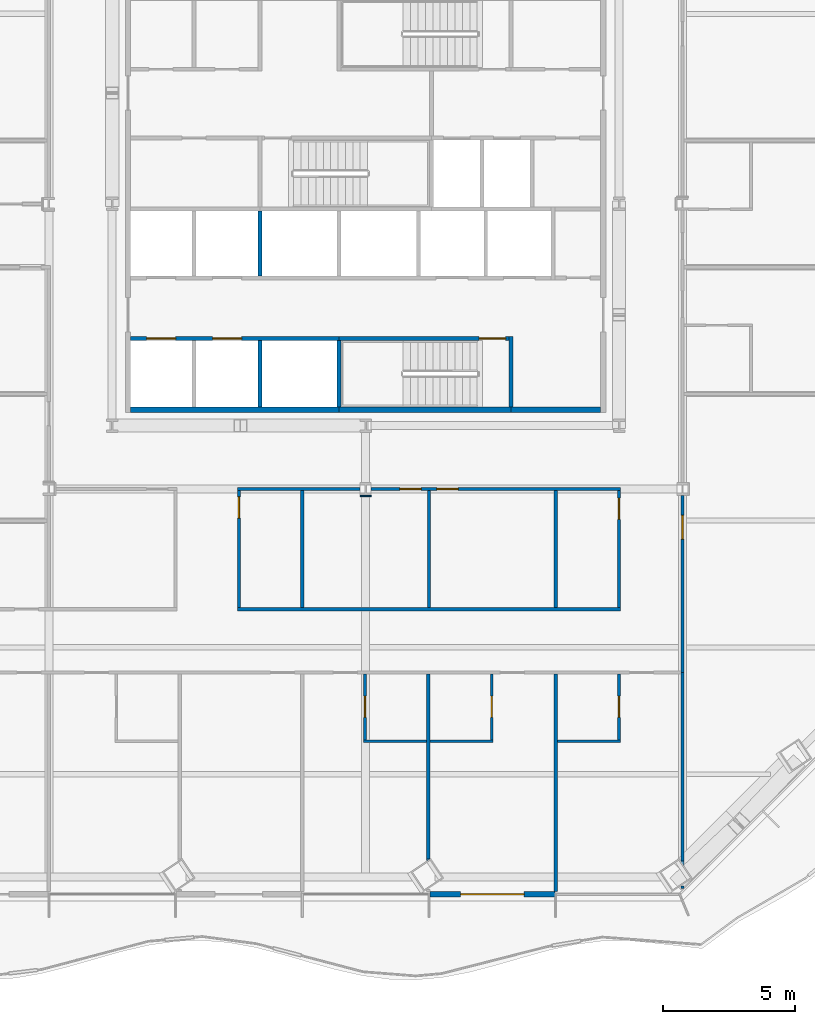
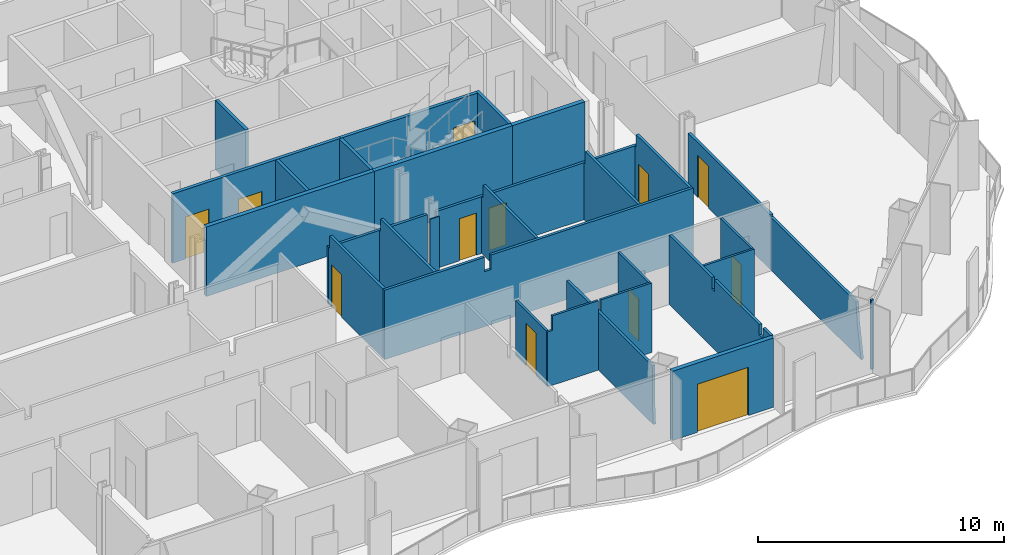
# One storey, part 9 of 20: 30 walls, 12 doors, 12 openings.
"""IFC4 building model written with IfcOpenShell, lengths in metres."""

import ifcopenshell
import ifcopenshell.guid

model = None  # the IFC model being written
_history = None  # IfcOwnerHistory: only IFC2X3 demands one
_inside = {}  # id of a spatial element -> (the spatial element, [elements in it])
_under = {}  # id of a project, library or spatial element -> (it, [spatial elements below it])
_declared = {}  # id of a project -> (the project, [libraries it declares])
_typed = {}  # id of a type object -> (the type object, [elements of that type])
_made_of = {}  # id of a material, layer set ... -> (it, [elements and type objects made of it])


def new_model(schema):
    """Start an empty IFC model of exactly this schema.

    Asked for "IFC4X3", IfcOpenShell would pick the latest addendum, in which some entities
    have other attributes; the version numbers below select the first issue.
    IFC2X3 requires an IfcOwnerHistory on every rooted entity: one is made here for all.
    """
    global model, _history
    if schema == "IFC4X3":
        model = ifcopenshell.file(schema_version=(4, 3, 0, 0))
    else:
        model = ifcopenshell.file(schema=schema)
    _inside.clear()
    _under.clear()
    _declared.clear()
    _typed.clear()
    _made_of.clear()
    _history = None
    if model.schema == "IFC2X3":
        org = make("IfcOrganization", Name="unknown")
        user = make(
            "IfcPersonAndOrganization",
            ThePerson=make("IfcPerson", FamilyName="unknown"),
            TheOrganization=org,
        )
        app = make(
            "IfcApplication",
            ApplicationDeveloper=org,
            Version="unknown",
            ApplicationFullName="unknown",
            ApplicationIdentifier="unknown",
        )
        _history = make(
            "IfcOwnerHistory",
            OwningUser=user,
            OwningApplication=app,
            ChangeAction="ADDED",
            CreationDate=0,
        )
    return model


def make(cls, **values):
    """One entity of the class cls with the attributes given. An attribute that is None is left unset."""
    return model.create_entity(
        cls, **{name: value for name, value in values.items() if value is not None}
    )


def rooted(cls, **values):
    """An entity with a GlobalId (a new one), such as an element, a storey or a relation."""
    return make(cls, GlobalId=ifcopenshell.guid.new(), OwnerHistory=_history, **values)


def si_unit(unit_type, name, prefix=None):
    """IfcSIUnit, for example si_unit("LENGTHUNIT", "METRE", prefix="MILLI")."""
    return make("IfcSIUnit", UnitType=unit_type, Prefix=prefix, Name=name)


def assignment(units):
    """IfcUnitAssignment: the units of a project."""
    return None if units is None else make("IfcUnitAssignment", Units=units)


def point(xyz):
    """IfcCartesianPoint."""
    return None if xyz is None else make("IfcCartesianPoint", Coordinates=xyz)


def direction(xyz):
    """IfcDirection."""
    return None if xyz is None else make("IfcDirection", DirectionRatios=xyz)


def frame(location, z_axis=None, x_axis=None):
    """IfcAxis2Placement3D, a coordinate frame: its origin and axes. An axis left out is left unset."""
    return make(
        "IfcAxis2Placement3D",
        Location=point(location),
        Axis=direction(z_axis),
        RefDirection=direction(x_axis),
    )


def frame_2d(location, x_axis=None):
    """IfcAxis2Placement2D, a coordinate frame in the plane: its origin and x axis."""
    return make(
        "IfcAxis2Placement2D", Location=point(location), RefDirection=direction(x_axis)
    )


def origin():
    """The frame at (0, 0, 0) with its axes left unset."""
    return frame((0.0, 0.0, 0.0))


def place(relative_to, where):
    """IfcLocalPlacement: puts the frame where relative to a parent placement (None: the world)."""
    return make(
        "IfcLocalPlacement", PlacementRelTo=relative_to, RelativePlacement=where
    )


def context(
    kind, dimensions, precision=None, world=None, true_north=None, identifier=None
):
    """IfcGeometricRepresentationContext, for example the 3D "Model" context."""
    return make(
        "IfcGeometricRepresentationContext",
        ContextIdentifier=identifier,
        ContextType=kind,
        CoordinateSpaceDimension=dimensions,
        Precision=precision,
        WorldCoordinateSystem=world,
        TrueNorth=true_north,
    )


def subcontext(parent, identifier, kind, view, scale=None):
    """IfcGeometricRepresentationSubContext, for example "Body" below "Model"."""
    return make(
        "IfcGeometricRepresentationSubContext",
        ContextIdentifier=identifier,
        ContextType=kind,
        ParentContext=parent,
        TargetScale=scale,
        TargetView=view,
    )


def project(units=None, contexts=None):
    """IfcProject with its units and contexts."""
    return rooted(
        "IfcProject",
        Name="project",
        RepresentationContexts=contexts,
        UnitsInContext=assignment(units),
    )


def spatial(cls, under=None, at=None, **own):
    """A site, building, storey or space (cls), placed at a placement, below another one or the project."""
    s = rooted(cls, ObjectPlacement=at, **own)
    if under is not None:
        _under.setdefault(under.id(), (under, []))[1].append(s)
    return s


def polyline(points):
    """IfcPolyline through the points."""
    return make("IfcPolyline", Points=[point(p) for p in points])


def profile(cls, at=None, kind="AREA", **sizes):
    """A parametric profile (cls). Its sizes go by their IFC names, for example OverallWidth=200.0."""
    return make(cls, ProfileType=kind, Position=at, **sizes)


def rectangle(**sizes):
    """IfcRectangleProfileDef."""
    return profile("IfcRectangleProfileDef", **sizes)


def outline(outer, holes=None, kind="AREA"):
    """IfcArbitraryClosedProfileDef: a profile drawn as a closed curve; with holes, ...WithVoids."""
    if holes is None:
        return make("IfcArbitraryClosedProfileDef", ProfileType=kind, OuterCurve=outer)
    return make(
        "IfcArbitraryProfileDefWithVoids",
        ProfileType=kind,
        OuterCurve=outer,
        InnerCurves=holes,
    )


def extrude(swept, where, along, depth):
    """IfcExtrudedAreaSolid: the profile swept, set in the frame where, extruded along a direction by depth."""
    return make(
        "IfcExtrudedAreaSolid",
        SweptArea=swept,
        Position=where,
        ExtrudedDirection=direction(along),
        Depth=depth,
    )


def shape(context_of_items, identifier, shape_type, items):
    """IfcShapeRepresentation: the items that make up one representation, for example the "Body"."""
    return make(
        "IfcShapeRepresentation",
        ContextOfItems=context_of_items,
        RepresentationIdentifier=identifier,
        RepresentationType=shape_type,
        Items=items,
    )


def material(Name=None, Category=None):
    """IfcMaterial."""
    return make("IfcMaterial", Name=Name, Category=Category)


def layer(
    of_material, thickness, ventilated=None, Name=None, Category=None, Priority=None
):
    """IfcMaterialLayer: one layer of a wall or slab, of a material (None: an air gap)."""
    return make(
        "IfcMaterialLayer",
        Material=of_material,
        LayerThickness=thickness,
        IsVentilated=ventilated,
        Name=Name,
        Category=Category,
        Priority=Priority,
    )


def layer_set(layers, Name=None):
    """IfcMaterialLayerSet."""
    return make("IfcMaterialLayerSet", MaterialLayers=layers, LayerSetName=Name)


def made_of(thing, what):
    """Note that an element or type object is made of a material, layer set ...; save() writes the relation."""
    if what is not None:
        _made_of.setdefault(what.id(), (what, []))[1].append(thing)
    return thing


def type_object(cls, material=None, **own):
    """A type object (cls), such as IfcWallType, which elements share."""
    return made_of(rooted(cls, **own), material)


def element(
    cls,
    number,
    at=None,
    inside=None,
    cuts=None,
    type_object=None,
    material=None,
    context=None,
    identifier="Body",
    shape_type=None,
    held_by="IfcProductDefinitionShape",
    body=None,
    shapes=None,
    **own,
):
    """One element of the class cls, such as IfcWall. Its Tag is "e" and its number.

    at: its placement. inside: the storey or other place that contains it. cuts: it is an
    opening in that element (IfcRelVoidsElement). A single representation is given by context,
    identifier, shape_type and body (its items); several are given by shapes. held_by: the class
    of the entity that holds the representations. save() writes the other relations.
    """
    e = rooted(cls, Tag="e%d" % number, ObjectPlacement=at, **own)
    if body is not None:
        shapes = [shape(context, identifier, shape_type, body)]
    if shapes is not None:
        e.Representation = make(held_by, Representations=shapes)
    if inside is not None:
        _inside.setdefault(inside.id(), (inside, []))[1].append(e)
    if cuts is not None:
        rooted(
            "IfcRelVoidsElement", RelatingBuildingElement=cuts, RelatedOpeningElement=e
        )
    if type_object is not None:
        _typed.setdefault(type_object.id(), (type_object, []))[1].append(e)
    return made_of(e, material)


def fill(opening, filler):
    """IfcRelFillsElement: the door or window that sits in an opening."""
    return rooted(
        "IfcRelFillsElement",
        RelatingOpeningElement=opening,
        RelatedBuildingElement=filler,
    )


def aggregate(whole, parts):
    """IfcRelAggregates: a whole, such as a stair, and the parts it consists of."""
    return rooted("IfcRelAggregates", RelatingObject=whole, RelatedObjects=parts)


def save(model, path):
    """Write the relations noted so far, then the file.

    IfcRelAggregates (storeys below a building ...), IfcRelContainedInSpatialStructure (elements
    in a storey), IfcRelDefinesByType, IfcRelAssociatesMaterial and IfcRelDeclares: one each for
    every whole, place, type object, material and project.
    """
    for whole, parts in _under.values():
        aggregate(whole, parts)
    for where, things in _inside.values():
        rooted(
            "IfcRelContainedInSpatialStructure",
            RelatedElements=things,
            RelatingStructure=where,
        )
    for kind, things in _typed.values():
        rooted("IfcRelDefinesByType", RelatedObjects=things, RelatingType=kind)
    for what, things in _made_of.values():
        rooted("IfcRelAssociatesMaterial", RelatedObjects=things, RelatingMaterial=what)
    for by, libraries in _declared.values():
        rooted("IfcRelDeclares", RelatingContext=by, RelatedDefinitions=libraries)
    model.write(path)


model = new_model("IFC4")

# Units and contexts
model_context = context("Model", 3, precision=1e-05, world=origin(), true_north=direction((0.0, 1.0)))
body_context = subcontext(model_context, "Body", "Model", "MODEL_VIEW")
ifc_project = project(units=[si_unit("LENGTHUNIT", "METRE"), si_unit("AREAUNIT", "SQUARE_METRE"), si_unit("VOLUMEUNIT", "CUBIC_METRE"), si_unit("PLANEANGLEUNIT", "RADIAN"), si_unit("MASSUNIT", "GRAM", prefix="KILO")], contexts=[model_context])

# Site, building, storey
site_placement = place(None, origin())
site = spatial("IfcSite", under=ifc_project, at=site_placement, CompositionType="ELEMENT")
building_placement = place(site_placement, origin())
building = spatial("IfcBuilding", under=site, at=building_placement, Name="Cairn Pilgrim Tower", CompositionType="ELEMENT")
storey_placement = place(building_placement, frame((0.0, 0.0, 87.0)))
storey = spatial("IfcBuildingStorey", under=building, at=storey_placement, Name="L20", CompositionType="ELEMENT", Elevation=87.0)

# Wall, opening, door
ifc_material_1 = material(Name="Bronze anodised aluminium insulated sandwich panel with mineral wool fill", Category="aluminium")
ifc_layer_1 = layer(ifc_material_1, 0.199951171875)
ifc_layer_set_1 = layer_set([ifc_layer_1], Name="BRONZE INFILL FRAME WALL 200")
wall_type_1 = type_object("IfcWallType", Name="BRONZE INFILL FRAME WALL 200", PredefinedType="NOTDEFINED", material=ifc_layer_set_1)
wall_1_placement = place(storey_placement, frame((9.6298828125, -23.75, 0.0), z_axis=(0.0, 0.0, 1.0), x_axis=(1.0, 0.0, 0.0)))
wall_1 = element("IfcWall", 1, at=wall_1_placement, inside=storey, type_object=wall_type_1, Name="Bronze infill frame wall IW-S7", PredefinedType="NOTDEFINED", context=body_context, shape_type="SweptSolid", body=[
    extrude(rectangle(XDim=4.740234375, YDim=0.199951171875, at=frame_2d((2.3701171875, 0.0))), origin(), (0.0, 0.0, 1.0), 3.449951171875),
])
opening_1_placement = place(wall_1_placement, frame((1.169921875, 0.0, 0.0)))
opening_1 = element("IfcOpeningElement", 2, at=opening_1_placement, cuts=wall_1, Name="Opening 2007B", PredefinedType="OPENING", context=body_context, shape_type="SweptSolid", body=[
    extrude(rectangle(XDim=2.39990234375, YDim=2.39990234375, at=frame_2d((1.199951171875, 1.199951171875))), frame((0.0, 0.10986328125, 0.0), z_axis=(0.0, -1.0, 0.0), x_axis=(1.0, 0.0, 0.0)), (0.0, 0.0, 1.0), 0.219970703125),
])
ifc_material_2 = material(Name="Bronze anodised aluminium frame with tinted low-E glass", Category="aluminium")
door_type_1 = type_object("IfcDoorType", Name="BALCONY SLIDING DOOR 2400x2400", OperationType="DOUBLE_DOOR_SLIDING", PredefinedType="DOOR", material=ifc_material_2)
door_1_placement = place(opening_1_placement, origin())
door_1 = element("IfcDoor", 3, at=door_1_placement, inside=storey, type_object=door_type_1, Name="Balcony sliding door 2007B", OperationType="SINGLE_SWING_LEFT", OverallHeight=2.39990234375, OverallWidth=2.39990234375, PredefinedType="DOOR", context=body_context, shape_type="SweptSolid", body=[
    extrude(rectangle(XDim=2.39990234375, YDim=2.39990234375, at=frame_2d((1.199951171875, 1.199951171875))), frame((0.0, 0.02490234375, 0.0), z_axis=(0.0, -1.0, 0.0), x_axis=(1.0, 0.0, 0.0)), (0.0, 0.0, 1.0), 0.050048828125),
])
fill(opening_1, door_1)

# Walls
ifc_material_3 = material(Name="Concrete C32/40", Category="concrete")
ifc_layer_2 = layer(ifc_material_3, 0.199951171875)
ifc_layer_set_2 = layer_set([ifc_layer_2], Name="CORE OUTER WALL 200 EI 120")
wall_type_2 = type_object("IfcWallType", Name="CORE OUTER WALL 200 EI 120", PredefinedType="SOLIDWALL", material=ifc_layer_set_2)
wall_2_placement = place(storey_placement, frame((-1.699951171875, -5.39990234375, 0.0), z_axis=(0.0, 0.0, 1.0), x_axis=(1.0, 0.0, 0.0)))
element("IfcWall", 4, at=wall_2_placement, inside=storey, type_object=wall_type_2, Name="CW:L20:H01-1", PredefinedType="SOLIDWALL", context=body_context, shape_type="SweptSolid", body=[
    extrude(rectangle(XDim=7.89990234375, YDim=0.199951171875, at=frame_2d((3.949951171875, 0.0))), origin(), (0.0, 0.0, 1.0), 3.449951171875),
])
wall_3_placement = place(storey_placement, frame((12.699951171875, -5.39990234375, 0.0), z_axis=(0.0, 0.0, 1.0), x_axis=(1.0, 0.0, 0.0)))
element("IfcWall", 5, at=wall_3_placement, inside=storey, type_object=wall_type_2, Name="CW:L20:H01-3", PredefinedType="SOLIDWALL", context=body_context, shape_type="SweptSolid", body=[
    extrude(rectangle(XDim=3.400146484375, YDim=0.199951171875, at=frame_2d((1.7001953125, 0.0))), origin(), (0.0, 0.0, 1.0), 3.449951171875),
])

# Wall, openings, doors
ifc_layer_3 = layer(ifc_material_3, 0.14990234375)
ifc_layer_set_3 = layer_set([ifc_layer_3], Name="CORE SHAFT WALL 150 EI 120")
wall_type_3 = type_object("IfcWallType", Name="CORE SHAFT WALL 150 EI 120", PredefinedType="SOLIDWALL", material=ifc_layer_set_3)
wall_4_placement = place(storey_placement, frame((-1.699951171875, -2.699951171875, 0.0), z_axis=(0.0, 0.0, 1.0), x_axis=(1.0, 0.0, 0.0)))
wall_4 = element("IfcWall", 6, at=wall_4_placement, inside=storey, type_object=wall_type_3, Name="CW:L20:H02-1", PredefinedType="SOLIDWALL", context=body_context, shape_type="SweptSolid", body=[
    extrude(rectangle(XDim=7.89990234375, YDim=0.14990234375, at=frame_2d((3.949951171875, 0.0))), origin(), (0.0, 0.0, 1.0), 3.449951171875),
])
opening_2_placement = place(wall_4_placement, frame((0.60009765625, 0.0, 0.0)))
opening_2 = element("IfcOpeningElement", 7, at=opening_2_placement, cuts=wall_4, Name="Opening LD-LR1", PredefinedType="OPENING", context=body_context, shape_type="SweptSolid", body=[
    extrude(rectangle(XDim=1.10009765625, YDim=2.10009765625, at=frame_2d((0.550048828125, 1.050048828125))), frame((0.0, 0.0849609375, 0.0), z_axis=(0.0, -1.0, 0.0), x_axis=(1.0, 0.0, 0.0)), (0.0, 0.0, 1.0), 0.169921875),
])
opening_3_placement = place(wall_4_placement, frame((3.10009765625, 0.0, 0.0)))
opening_3 = element("IfcOpeningElement", 8, at=opening_3_placement, cuts=wall_4, Name="Opening LD-LR2", PredefinedType="OPENING", context=body_context, shape_type="SweptSolid", body=[
    extrude(rectangle(XDim=1.10009765625, YDim=2.10009765625, at=frame_2d((0.550048828125, 1.050048828125))), frame((0.0, 0.0849609375, 0.0), z_axis=(0.0, -1.0, 0.0), x_axis=(1.0, 0.0, 0.0)), (0.0, 0.0, 1.0), 0.169921875),
])
ifc_material_4 = material(Name="Stainless steel", Category="steel")
door_type_2 = type_object("IfcDoorType", Name="LIFT LANDING DOOR 1100x2100", OperationType="DOUBLE_DOOR_SLIDING", PredefinedType="DOOR", material=ifc_material_4)
door_2_placement = place(opening_2_placement, origin())
door_2 = element("IfcDoor", 9, at=door_2_placement, inside=storey, type_object=door_type_2, Name="LANDING DOOR LR1", OperationType="DOUBLE_DOOR_SLIDING", OverallHeight=2.10009765625, OverallWidth=1.10009765625, PredefinedType="DOOR", context=body_context, shape_type="SweptSolid", body=[
    extrude(rectangle(XDim=1.10009765625, YDim=2.10009765625, at=frame_2d((0.550048828125, 1.050048828125))), frame((0.0, 0.02490234375, 0.0), z_axis=(0.0, -1.0, 0.0), x_axis=(1.0, 0.0, 0.0)), (0.0, 0.0, 1.0), 0.050048828125),
])
fill(opening_2, door_2)
door_3_placement = place(opening_3_placement, origin())
door_3 = element("IfcDoor", 10, at=door_3_placement, inside=storey, type_object=door_type_2, Name="LANDING DOOR LR2", OperationType="DOUBLE_DOOR_SLIDING", OverallHeight=2.10009765625, OverallWidth=1.10009765625, PredefinedType="DOOR", context=body_context, shape_type="SweptSolid", body=[
    extrude(rectangle(XDim=1.10009765625, YDim=2.10009765625, at=frame_2d((0.550048828125, 1.050048828125))), frame((0.0, 0.02490234375, 0.0), z_axis=(0.0, -1.0, 0.0), x_axis=(1.0, 0.0, 0.0)), (0.0, 0.0, 1.0), 0.050048828125),
])
fill(opening_3, door_3)

# Walls
wall_5_placement = place(storey_placement, frame((3.199951171875, -5.300048828125, 0.0), z_axis=(0.0, 0.0, 1.0), x_axis=(0.0, 1.0, 0.0)))
element("IfcWall", 11, at=wall_5_placement, inside=storey, type_object=wall_type_3, Name="CW:L20:V16", PredefinedType="SOLIDWALL", context=body_context, shape_type="SweptSolid", body=[
    extrude(rectangle(XDim=2.525146484375, YDim=0.14990234375, at=frame_2d((1.2626953125, 0.0))), origin(), (0.0, 0.0, 1.0), 3.449951171875),
])
wall_6_placement = place(storey_placement, frame((3.199951171875, -0.324951171875, 0.0), z_axis=(0.0, 0.0, 1.0), x_axis=(0.0, 1.0, 0.0)))
element("IfcWall", 12, at=wall_6_placement, inside=storey, type_object=wall_type_3, Name="CW:L20:V17", PredefinedType="SOLIDWALL", context=body_context, shape_type="SweptSolid", body=[
    extrude(rectangle(XDim=2.449951171875, YDim=0.14990234375, at=frame_2d((1.22509765625, 0.0))), origin(), (0.0, 0.0, 1.0), 3.449951171875),
])
ifc_material_5 = material(Name="Gypsum partition")
ifc_layer_4 = layer(ifc_material_5, 0.10009765625)
ifc_layer_set_4 = layer_set([ifc_layer_4], Name="PARTITION 100 DRYWALL")
wall_type_4 = type_object("IfcWallType", Name="PARTITION 100 DRYWALL", PredefinedType="PARTITIONING", material=ifc_layer_set_4)
wall_7_placement = place(storey_placement, frame((7.1240234375, -17.949951171875, 0.0), z_axis=(0.0, 0.0, 1.0), x_axis=(1.0, 0.0, 0.0)))
element("IfcWall", 13, at=wall_7_placement, inside=storey, type_object=wall_type_4, Name="PARTITION W018", PredefinedType="PARTITIONING", context=body_context, shape_type="SweptSolid", body=[
    extrude(outline(polyline([(0.0, 0.0), (2.387451171875, 0.0), (2.387451171875, 3.449951171875), (0.22607421875, 3.449951171875), (0.22412109375, 2.72998046875), (0.0, 2.72998046875), (0.0, 0.0)])), frame((0.0, 0.050048828125, 0.0), z_axis=(0.0, -1.0, 0.0), x_axis=(1.0, 0.0, 0.0)), (0.0, 0.0, 1.0), 0.10009765625),
])

# Wall, opening, door
wall_8_placement = place(storey_placement, frame((7.174072265625, -17.89990234375, 0.0), z_axis=(0.0, 0.0, 1.0), x_axis=(0.0, 1.0, 0.0)))
wall_8 = element("IfcWall", 14, at=wall_8_placement, inside=storey, type_object=wall_type_4, Name="PARTITION W019", PredefinedType="PARTITIONING", context=body_context, shape_type="SweptSolid", body=[
    extrude(rectangle(XDim=2.4873046875, YDim=0.10009765625, at=frame_2d((1.24365234375, 0.0))), origin(), (0.0, 0.0, 1.0), 2.72998046875),
])
opening_4_placement = place(wall_8_placement, frame((0.85009765625, 0.0, 0.0)))
opening_4 = element("IfcOpeningElement", 15, at=opening_4_placement, cuts=wall_8, Name="Opening 2006E", PredefinedType="OPENING", context=body_context, shape_type="SweptSolid", body=[
    extrude(rectangle(XDim=0.800048828125, YDim=2.10009765625, at=frame_2d((0.39990234375, 1.050048828125))), frame((0.0, 0.06005859375, 0.0), z_axis=(0.0, -1.0, 0.0), x_axis=(1.0, 0.0, 0.0)), (0.0, 0.0, 1.0), 0.1201171875),
])
ifc_material_6 = material(Name="Timber door leaf", Category="wood")
door_type_3 = type_object("IfcDoorType", Name="DOOR 800x2100", OperationType="NOTDEFINED", PredefinedType="DOOR", material=ifc_material_6)
door_4_placement = place(opening_4_placement, frame((0.800048828125, 0.0, 0.0), z_axis=(0.0, 0.0, 1.0), x_axis=(-1.0, 0.0, 0.0)))
door_4 = element("IfcDoor", 16, at=door_4_placement, inside=storey, type_object=door_type_3, Name="DOOR 2006E", OperationType="SINGLE_SWING_RIGHT", OverallHeight=2.10009765625, OverallWidth=0.800048828125, PredefinedType="DOOR", context=body_context, shape_type="SweptSolid", body=[
    extrude(rectangle(XDim=0.800048828125, YDim=2.10009765625, at=frame_2d((0.39990234375, 1.050048828125))), frame((0.0, 0.02490234375, 0.0), z_axis=(0.0, -1.0, 0.0), x_axis=(1.0, 0.0, 0.0)), (0.0, 0.0, 1.0), 0.050048828125),
])
fill(opening_4, door_4)

# Wall
wall_9_placement = place(storey_placement, frame((9.636474609375, -17.949951171875, 0.0), z_axis=(0.0, 0.0, 1.0), x_axis=(1.0, 0.0, 0.0)))
element("IfcWall", 17, at=wall_9_placement, inside=storey, type_object=wall_type_4, Name="PARTITION W020", PredefinedType="PARTITIONING", context=body_context, shape_type="SweptSolid", body=[
    extrude(rectangle(XDim=2.387451171875, YDim=0.10009765625, at=frame_2d((1.19384765625, 0.0))), origin(), (0.0, 0.0, 1.0), 3.449951171875),
])

# Wall, opening, door
wall_10_placement = place(storey_placement, frame((11.97412109375, -17.89990234375, 0.0), z_axis=(0.0, 0.0, 1.0), x_axis=(0.0, 1.0, 0.0)))
wall_10 = element("IfcWall", 18, at=wall_10_placement, inside=storey, type_object=wall_type_4, Name="PARTITION W021", PredefinedType="PARTITIONING", context=body_context, shape_type="SweptSolid", body=[
    extrude(rectangle(XDim=2.4873046875, YDim=0.10009765625, at=frame_2d((1.24365234375, 0.0))), origin(), (0.0, 0.0, 1.0), 3.449951171875),
])
opening_5_placement = place(wall_10_placement, frame((0.85009765625, 0.0, 0.0)))
opening_5 = element("IfcOpeningElement", 19, at=opening_5_placement, cuts=wall_10, Name="Opening 2007E", PredefinedType="OPENING", context=body_context, shape_type="SweptSolid", body=[
    extrude(rectangle(XDim=0.800048828125, YDim=2.10009765625, at=frame_2d((0.39990234375, 1.050048828125))), frame((0.0, 0.06005859375, 0.0), z_axis=(0.0, -1.0, 0.0), x_axis=(1.0, 0.0, 0.0)), (0.0, 0.0, 1.0), 0.1201171875),
])
door_5_placement = place(opening_5_placement, origin())
door_5 = element("IfcDoor", 20, at=door_5_placement, inside=storey, type_object=door_type_3, Name="DOOR 2007E", OperationType="SINGLE_SWING_RIGHT", OverallHeight=2.10009765625, OverallWidth=0.800048828125, PredefinedType="DOOR", context=body_context, shape_type="SweptSolid", body=[
    extrude(rectangle(XDim=0.800048828125, YDim=2.10009765625, at=frame_2d((0.39990234375, 1.050048828125))), frame((0.0, 0.02490234375, 0.0), z_axis=(0.0, -1.0, 0.0), x_axis=(1.0, 0.0, 0.0)), (0.0, 0.0, 1.0), 0.050048828125),
])
fill(opening_5, door_5)

# Wall
wall_11_placement = place(storey_placement, frame((14.46240234375, -17.949951171875, 0.0), z_axis=(0.0, 0.0, 1.0), x_axis=(1.0, 0.0, 0.0)))
element("IfcWall", 21, at=wall_11_placement, inside=storey, type_object=wall_type_4, Name="PARTITION W022", PredefinedType="PARTITIONING", context=body_context, shape_type="SweptSolid", body=[
    extrude(rectangle(XDim=2.3876953125, YDim=0.10009765625, at=frame_2d((1.19384765625, 0.0))), origin(), (0.0, 0.0, 1.0), 3.449951171875),
])

# Wall, opening, door
wall_12_placement = place(storey_placement, frame((16.800048828125, -17.89990234375, 0.0), z_axis=(0.0, 0.0, 1.0), x_axis=(0.0, 1.0, 0.0)))
wall_12 = element("IfcWall", 22, at=wall_12_placement, inside=storey, type_object=wall_type_4, Name="PARTITION W023", PredefinedType="PARTITIONING", context=body_context, shape_type="SweptSolid", body=[
    extrude(rectangle(XDim=2.4873046875, YDim=0.10009765625, at=frame_2d((1.24365234375, 0.0))), origin(), (0.0, 0.0, 1.0), 3.449951171875),
])
opening_6_placement = place(wall_12_placement, frame((0.85009765625, 0.0, 0.0)))
opening_6 = element("IfcOpeningElement", 23, at=opening_6_placement, cuts=wall_12, Name="Opening 2008E", PredefinedType="OPENING", context=body_context, shape_type="SweptSolid", body=[
    extrude(rectangle(XDim=0.800048828125, YDim=2.10009765625, at=frame_2d((0.39990234375, 1.050048828125))), frame((0.0, 0.06005859375, 0.0), z_axis=(0.0, -1.0, 0.0), x_axis=(1.0, 0.0, 0.0)), (0.0, 0.0, 1.0), 0.1201171875),
])
door_6_placement = place(opening_6_placement, origin())
door_6 = element("IfcDoor", 24, at=door_6_placement, inside=storey, type_object=door_type_3, Name="DOOR 2008E", OperationType="SINGLE_SWING_RIGHT", OverallHeight=2.10009765625, OverallWidth=0.800048828125, PredefinedType="DOOR", context=body_context, shape_type="SweptSolid", body=[
    extrude(rectangle(XDim=0.800048828125, YDim=2.10009765625, at=frame_2d((0.39990234375, 1.050048828125))), frame((0.0, 0.02490234375, 0.0), z_axis=(0.0, -1.0, 0.0), x_axis=(1.0, 0.0, 0.0)), (0.0, 0.0, 1.0), 0.050048828125),
])
fill(opening_6, door_6)

# Walls
ifc_layer_5 = layer(ifc_material_5, 0.125)
ifc_layer_set_5 = layer_set([ifc_layer_5], Name="PARTITION 125 DRYWALL EI 60")
wall_type_5 = type_object("IfcWallType", Name="PARTITION 125 DRYWALL EI 60", PredefinedType="PARTITIONING", material=ifc_layer_set_5)
wall_13_placement = place(storey_placement, frame((14.39990234375, -23.64990234375, 0.0), z_axis=(0.0, 0.0, 1.0), x_axis=(0.0, 1.0, 0.0)))
element("IfcWall", 25, at=wall_13_placement, inside=storey, type_object=wall_type_5, Name="PARTITION W005", PredefinedType="PARTITIONING", context=body_context, shape_type="SweptSolid", body=[
    extrude(outline(polyline([(0.0, 0.0), (8.2373046875, 0.0), (8.237548828125, 3.449951171875), (4.768798828125, 3.449951171875), (4.7666015625, 2.8798828125), (4.55859375, 2.8798828125), (4.556640625, 3.449951171875), (0.913818359375, 3.449951171875), (0.91162109375, 2.929931640625), (0.61376953125, 2.929931640625), (0.61181640625, 3.449951171875), (0.0, 3.449951171875), (0.0, 0.0)])), frame((0.0, 0.0625, 0.0), z_axis=(0.0, -1.0, 0.0), x_axis=(1.0, 0.0, 0.0)), (0.0, 0.0, 1.0), 0.125),
])
wall_14_placement = place(storey_placement, frame((19.199951171875, -23.53857421875, 0.0), z_axis=(0.0, 0.0, 1.0), x_axis=(0.0, 1.0, 0.0)))
element("IfcWall", 26, at=wall_14_placement, inside=storey, type_object=wall_type_5, Name="PARTITION W008", PredefinedType="PARTITIONING", context=body_context, shape_type="SweptSolid", body=[
    extrude(outline(polyline([(0.0, 0.0), (0.1044921875, 0.0), (0.1044921875, 0.862548828125), (0.1044921875, 1.72509765625), (0.1044921875, 2.58740234375), (0.1044921875, 3.449951171875), (0.0, 3.449951171875), (0.0, 2.58740234375), (0.0, 1.72509765625), (0.0, 0.862548828125), (0.0, 0.0)])), frame((0.0, 0.0625, 0.0), z_axis=(0.0, -1.0, 0.0), x_axis=(1.0, 0.0, 0.0)), (0.0, 0.0, 1.0), 0.125),
])
wall_15_placement = place(storey_placement, frame((19.199951171875, -22.720703125, 0.0), z_axis=(0.0, 0.0, 1.0), x_axis=(0.0, 1.0, 0.0)))
element("IfcWall", 27, at=wall_15_placement, inside=storey, type_object=wall_type_5, Name="PARTITION W009", PredefinedType="PARTITIONING", context=body_context, shape_type="SweptSolid", body=[
    extrude(outline(polyline([(0.0, 0.0), (7.37060546875, 0.0), (7.37060546875, 0.862548828125), (7.37060546875, 1.72509765625), (7.37060546875, 2.58740234375), (7.37060546875, 2.6298828125), (0.410888671875, 2.6298828125), (0.40869140625, 2.58740234375), (0.332763671875, 1.72509765625), (0.16650390625, 0.862548828125), (0.0, 0.0)])), frame((0.0, 0.0625, 0.0), z_axis=(0.0, -1.0, 0.0), x_axis=(1.0, 0.0, 0.0)), (0.0, 0.0, 1.0), 0.125),
])
wall_16_placement = place(storey_placement, frame((9.573974609375, -22.465576171875, 0.0), z_axis=(0.0, 0.0, 1.0), x_axis=(0.0, 1.0, 0.0)))
element("IfcWall", 28, at=wall_16_placement, inside=storey, type_object=wall_type_5, Name="PARTITION W012", PredefinedType="PARTITIONING", context=body_context, shape_type="SweptSolid", body=[
    extrude(outline(polyline([(0.0, 0.0), (7.052978515625, 0.0), (7.052978515625, 0.862548828125), (7.052978515625, 1.72509765625), (7.052978515625, 2.58740234375), (7.052978515625, 2.8798828125), (0.05517578125, 2.8798828125), (0.05517578125, 2.58740234375), (0.05517578125, 1.72509765625), (0.05126953125, 0.862548828125), (0.0, 0.0)])), frame((0.0, 0.0625, 0.0), z_axis=(0.0, -1.0, 0.0), x_axis=(1.0, 0.0, 0.0)), (0.0, 0.0, 1.0), 0.125),
])

# Wall, opening, door
wall_17_placement = place(storey_placement, frame((19.199951171875, -15.35009765625, 0.0), z_axis=(0.0, 0.0, 1.0), x_axis=(0.0, 1.0, 0.0)))
wall_17 = element("IfcWall", 29, at=wall_17_placement, inside=storey, type_object=wall_type_5, Name="PARTITION W027", PredefinedType="PARTITIONING", context=body_context, shape_type="SweptSolid", body=[
    extrude(rectangle(XDim=6.713134765625, YDim=0.125, at=frame_2d((3.3564453125, 0.0))), origin(), (0.0, 0.0, 1.0), 2.72998046875),
])
opening_7_placement = place(wall_17_placement, frame((5.050048828125, 0.0, 0.0)))
opening_7 = element("IfcOpeningElement", 30, at=opening_7_placement, cuts=wall_17, Name="Opening 2020", PredefinedType="OPENING", context=body_context, shape_type="SweptSolid", body=[
    extrude(rectangle(XDim=0.89990234375, YDim=2.10009765625, at=frame_2d((0.449951171875, 1.050048828125))), frame((0.0, 0.072509765625, 0.0), z_axis=(0.0, -1.0, 0.0), x_axis=(1.0, 0.0, 0.0)), (0.0, 0.0, 1.0), 0.14501953125),
])
ifc_material_7 = material(Name="Steel-faced fire door leaf", Category="steel")
door_type_4 = type_object("IfcDoorType", Name="FIRE DOOR 900x2100 FD30S", OperationType="NOTDEFINED", PredefinedType="DOOR", material=ifc_material_7)
door_7_placement = place(opening_7_placement, frame((0.89990234375, 0.0, 0.0), z_axis=(0.0, 0.0, 1.0), x_axis=(-1.0, 0.0, 0.0)))
door_7 = element("IfcDoor", 31, at=door_7_placement, inside=storey, type_object=door_type_4, Name="DOOR 2020", OperationType="SINGLE_SWING_LEFT", OverallHeight=2.10009765625, OverallWidth=0.89990234375, PredefinedType="DOOR", context=body_context, shape_type="SweptSolid", body=[
    extrude(rectangle(XDim=0.89990234375, YDim=2.10009765625, at=frame_2d((0.449951171875, 1.050048828125))), frame((0.0, 0.02490234375, 0.0), z_axis=(0.0, -1.0, 0.0), x_axis=(1.0, 0.0, 0.0)), (0.0, 0.0, 1.0), 0.050048828125),
])
fill(opening_7, door_7)

# Wall
wall_18_placement = place(storey_placement, frame((2.33740234375, -12.949951171875, 0.0), z_axis=(0.0, 0.0, 1.0), x_axis=(1.0, 0.0, 0.0)))
element("IfcWall", 32, at=wall_18_placement, inside=storey, type_object=wall_type_5, Name="PARTITION W029", PredefinedType="PARTITIONING", context=body_context, shape_type="SweptSolid", body=[
    extrude(outline(polyline([(0.0, 0.0), (14.525146484375, 0.0), (14.52490234375, 3.449951171875), (5.012451171875, 3.449951171875), (5.010498046875, 2.72998046875), (4.71240234375, 2.72998046875), (4.71044921875, 3.449951171875), (0.0, 3.449951171875), (0.0, 0.0)])), frame((0.0, 0.0625, 0.0), z_axis=(0.0, -1.0, 0.0), x_axis=(1.0, 0.0, 0.0)), (0.0, 0.0, 1.0), 0.125),
])

# Wall, opening, door
wall_19_placement = place(storey_placement, frame((2.39990234375, -12.887451171875, 0.0), z_axis=(0.0, 0.0, 1.0), x_axis=(0.0, 1.0, 0.0)))
wall_19 = element("IfcWall", 33, at=wall_19_placement, inside=storey, type_object=wall_type_5, Name="PARTITION W034", PredefinedType="PARTITIONING", context=body_context, shape_type="SweptSolid", body=[
    extrude(outline(polyline([(0.0, 0.0), (4.425048828125, 0.0), (4.425048828125, 2.830078125), (4.33740234375, 2.830078125), (4.33544921875, 3.449951171875), (0.0, 3.449951171875), (0.0, 0.0)])), frame((0.0, 0.0625, 0.0), z_axis=(0.0, -1.0, 0.0), x_axis=(1.0, 0.0, 0.0)), (0.0, 0.0, 1.0), 0.125),
])
opening_8_placement = place(wall_19_placement, frame((3.387451171875, 0.0, 0.0)))
opening_8 = element("IfcOpeningElement", 34, at=opening_8_placement, cuts=wall_19, Name="Opening 2032", PredefinedType="OPENING", context=body_context, shape_type="SweptSolid", body=[
    extrude(rectangle(XDim=0.800048828125, YDim=2.10009765625, at=frame_2d((0.39990234375, 1.050048828125))), frame((0.0, 0.072509765625, 0.0), z_axis=(0.0, -1.0, 0.0), x_axis=(1.0, 0.0, 0.0)), (0.0, 0.0, 1.0), 0.14501953125),
])
door_type_5 = type_object("IfcDoorType", Name="FIRE DOOR 800x2100 FD30S", OperationType="NOTDEFINED", PredefinedType="DOOR", material=ifc_material_7)
door_8_placement = place(opening_8_placement, frame((0.800048828125, 0.0, 0.0), z_axis=(0.0, 0.0, 1.0), x_axis=(-1.0, 0.0, 0.0)))
door_8 = element("IfcDoor", 35, at=door_8_placement, inside=storey, type_object=door_type_5, Name="DOOR 2032", OperationType="SINGLE_SWING_LEFT", OverallHeight=2.10009765625, OverallWidth=0.800048828125, PredefinedType="DOOR", context=body_context, shape_type="SweptSolid", body=[
    extrude(rectangle(XDim=0.800048828125, YDim=2.10009765625, at=frame_2d((0.39990234375, 1.050048828125))), frame((0.0, 0.02490234375, 0.0), z_axis=(0.0, -1.0, 0.0), x_axis=(1.0, 0.0, 0.0)), (0.0, 0.0, 1.0), 0.050048828125),
])
fill(opening_8, door_8)

# Walls
for number, where, z_axis, x_axis, name in (
    (36, (4.800048828125, -12.887451171875, 0.0), (0.0, 0.0, 1.0), (0.0, 1.0, 0.0), "PARTITION W035"),
    (37, (9.60009765625, -12.887451171875, 0.0), (0.0, 0.0, 1.0), (0.0, 1.0, 0.0), "PARTITION W036"),
    (38, (14.39990234375, -12.887451171875, 0.0), (0.0, 0.0, 1.0), (0.0, 1.0, 0.0), "PARTITION W037"),
):
    element("IfcWall", number, at=place(storey_placement, frame(where, z_axis=z_axis, x_axis=x_axis)), inside=storey, type_object=wall_type_5, Name=name, PredefinedType="PARTITIONING", context=body_context, shape_type="SweptSolid", body=[
        extrude(outline(polyline([(0.0, 0.0), (4.425048828125, 0.0), (4.425048828125, 2.830078125), (4.33740234375, 2.830078125), (4.33544921875, 3.449951171875), (0.0, 3.449951171875), (0.0, 0.0)])), frame((0.0, 0.0625, 0.0), z_axis=(0.0, -1.0, 0.0), x_axis=(1.0, 0.0, 0.0)), (0.0, 0.0, 1.0), 0.125),
    ])

# Wall, opening, door
wall_20_placement = place(storey_placement, frame((16.800048828125, -12.887451171875, 0.0), z_axis=(0.0, 0.0, 1.0), x_axis=(0.0, 1.0, 0.0)))
wall_20 = element("IfcWall", 39, at=wall_20_placement, inside=storey, type_object=wall_type_5, Name="PARTITION W038", PredefinedType="PARTITIONING", context=body_context, shape_type="SweptSolid", body=[
    extrude(outline(polyline([(0.0, 0.0), (4.425048828125, 0.0), (4.425048828125, 2.830078125), (4.33740234375, 2.830078125), (4.33544921875, 3.449951171875), (0.0, 3.449951171875), (0.0, 0.0)])), frame((0.0, 0.0625, 0.0), z_axis=(0.0, -1.0, 0.0), x_axis=(1.0, 0.0, 0.0)), (0.0, 0.0, 1.0), 0.125),
])
opening_9_placement = place(wall_20_placement, frame((3.33740234375, 0.0, 0.0)))
opening_9 = element("IfcOpeningElement", 40, at=opening_9_placement, cuts=wall_20, Name="Opening 2035", PredefinedType="OPENING", context=body_context, shape_type="SweptSolid", body=[
    extrude(rectangle(XDim=0.800048828125, YDim=2.10009765625, at=frame_2d((0.39990234375, 1.050048828125))), frame((0.0, 0.072509765625, 0.0), z_axis=(0.0, -1.0, 0.0), x_axis=(1.0, 0.0, 0.0)), (0.0, 0.0, 1.0), 0.14501953125),
])
door_9_placement = place(opening_9_placement, origin())
door_9 = element("IfcDoor", 41, at=door_9_placement, inside=storey, type_object=door_type_5, Name="DOOR 2035", OperationType="SINGLE_SWING_RIGHT", OverallHeight=2.10009765625, OverallWidth=0.800048828125, PredefinedType="DOOR", context=body_context, shape_type="SweptSolid", body=[
    extrude(rectangle(XDim=0.800048828125, YDim=2.10009765625, at=frame_2d((0.39990234375, 1.050048828125))), frame((0.0, 0.02490234375, 0.0), z_axis=(0.0, -1.0, 0.0), x_axis=(1.0, 0.0, 0.0)), (0.0, 0.0, 1.0), 0.050048828125),
])
fill(opening_9, door_9)

# Wall
wall_21_placement = place(storey_placement, frame((2.33740234375, -8.39990234375, 0.0), z_axis=(0.0, 0.0, 1.0), x_axis=(1.0, 0.0, 0.0)))
element("IfcWall", 42, at=wall_21_placement, inside=storey, type_object=wall_type_5, Name="PARTITION W042", PredefinedType="PARTITIONING", context=body_context, shape_type="SweptSolid", body=[
    extrude(rectangle(XDim=4.650634765625, YDim=0.125, at=frame_2d((2.3251953125, 0.0))), origin(), (0.0, 0.0, 1.0), 2.830078125),
])

# Wall, openings, doors
wall_22_placement = place(storey_placement, frame((7.412109375, -8.39990234375, 0.0), z_axis=(0.0, 0.0, 1.0), x_axis=(1.0, 0.0, 0.0)))
wall_22 = element("IfcWall", 43, at=wall_22_placement, inside=storey, type_object=wall_type_5, Name="PARTITION W043", PredefinedType="PARTITIONING", context=body_context, shape_type="SweptSolid", body=[
    extrude(rectangle(XDim=9.450439453125, YDim=0.125, at=frame_2d((4.72509765625, 0.0))), origin(), (0.0, 0.0, 1.0), 2.830078125),
])
opening_10_placement = place(wall_22_placement, frame((1.087890625, 0.0, 0.0)))
opening_10 = element("IfcOpeningElement", 44, at=opening_10_placement, cuts=wall_22, Name="Opening 2033", PredefinedType="OPENING", context=body_context, shape_type="SweptSolid", body=[
    extrude(rectangle(XDim=0.800048828125, YDim=2.10009765625, at=frame_2d((0.39990234375, 1.050048828125))), frame((0.0, 0.072509765625, 0.0), z_axis=(0.0, -1.0, 0.0), x_axis=(1.0, 0.0, 0.0)), (0.0, 0.0, 1.0), 0.14501953125),
])
opening_11_placement = place(wall_22_placement, frame((2.488037109375, 0.0, 0.0)))
opening_11 = element("IfcOpeningElement", 45, at=opening_11_placement, cuts=wall_22, Name="Opening 2034", PredefinedType="OPENING", context=body_context, shape_type="SweptSolid", body=[
    extrude(rectangle(XDim=0.800048828125, YDim=2.10009765625, at=frame_2d((0.39990234375, 1.050048828125))), frame((0.0, 0.072509765625, 0.0), z_axis=(0.0, -1.0, 0.0), x_axis=(1.0, 0.0, 0.0)), (0.0, 0.0, 1.0), 0.14501953125),
])
door_10_placement = place(opening_10_placement, frame((0.800048828125, 0.0, 0.0), z_axis=(0.0, 0.0, 1.0), x_axis=(-1.0, 0.0, 0.0)))
door_10 = element("IfcDoor", 46, at=door_10_placement, inside=storey, type_object=door_type_5, Name="DOOR 2033", OperationType="SINGLE_SWING_RIGHT", OverallHeight=2.10009765625, OverallWidth=0.800048828125, PredefinedType="DOOR", context=body_context, shape_type="SweptSolid", body=[
    extrude(rectangle(XDim=0.800048828125, YDim=2.10009765625, at=frame_2d((0.39990234375, 1.050048828125))), frame((0.0, 0.02490234375, 0.0), z_axis=(0.0, -1.0, 0.0), x_axis=(1.0, 0.0, 0.0)), (0.0, 0.0, 1.0), 0.050048828125),
])
fill(opening_10, door_10)
door_11_placement = place(opening_11_placement, frame((0.800048828125, 0.0, 0.0), z_axis=(0.0, 0.0, 1.0), x_axis=(-1.0, 0.0, 0.0)))
door_11 = element("IfcDoor", 47, at=door_11_placement, inside=storey, type_object=door_type_5, Name="DOOR 2034", OperationType="SINGLE_SWING_LEFT", OverallHeight=2.10009765625, OverallWidth=0.800048828125, PredefinedType="DOOR", context=body_context, shape_type="SweptSolid", body=[
    extrude(rectangle(XDim=0.800048828125, YDim=2.10009765625, at=frame_2d((0.39990234375, 1.050048828125))), frame((0.0, 0.02490234375, 0.0), z_axis=(0.0, -1.0, 0.0), x_axis=(1.0, 0.0, 0.0)), (0.0, 0.0, 1.0), 0.050048828125),
])
fill(opening_11, door_11)

# Wall
ifc_layer_6 = layer(ifc_material_5, 0.050048828125)
ifc_layer_set_6 = layer_set([ifc_layer_6], Name="PARTITION 50 DRYWALL EI 60")
wall_type_6 = type_object("IfcWallType", Name="PARTITION 50 DRYWALL EI 60", PredefinedType="PARTITIONING", material=ifc_layer_set_6)
wall_23_placement = place(storey_placement, frame((6.988037109375, -8.662109375, 0.0), z_axis=(0.0, 0.0, 1.0), x_axis=(1.0, 0.0, 0.0)))
element("IfcWall", 48, at=wall_23_placement, inside=storey, type_object=wall_type_6, Name="COLUMN CASING WC10", PredefinedType="PARTITIONING", context=body_context, shape_type="SweptSolid", body=[
    extrude(rectangle(XDim=0.424072265625, YDim=0.050048828125, at=frame_2d((0.2119140625, 0.0))), origin(), (0.0, 0.0, 1.0), 2.72998046875),
])

# Wall, opening, door
ifc_material_8 = material(Name="Concrete C35/45", Category="concrete")
ifc_layer_7 = layer(ifc_material_8, 0.14990234375)
ifc_layer_set_7 = layer_set([ifc_layer_7], Name="STAIR SHAFT WALL 150 EI 120")
wall_type_7 = type_object("IfcWallType", Name="STAIR SHAFT WALL 150 EI 120", PredefinedType="SOLIDWALL", material=ifc_layer_set_7)
wall_24_placement = place(storey_placement, frame((6.199951171875, -2.699951171875, 0.0), z_axis=(0.0, 0.0, 1.0), x_axis=(1.0, 0.0, 0.0)))
wall_24 = element("IfcWall", 49, at=wall_24_placement, inside=storey, type_object=wall_type_7, Name="CW:L20:H02-2", PredefinedType="SOLIDWALL", context=body_context, shape_type="SweptSolid", body=[
    extrude(rectangle(XDim=6.425048828125, YDim=0.14990234375, at=frame_2d((3.21240234375, 0.0))), origin(), (0.0, 0.0, 1.0), 3.449951171875),
])
opening_12_placement = place(wall_24_placement, frame((5.300048828125, 0.0, 0.0)))
opening_12 = element("IfcOpeningElement", 50, at=opening_12_placement, cuts=wall_24, Name="Opening SD-A", PredefinedType="OPENING", context=body_context, shape_type="SweptSolid", body=[
    extrude(rectangle(XDim=1.0, YDim=2.10009765625, at=frame_2d((0.5, 1.050048828125))), frame((0.0, 0.0849609375, 0.0), z_axis=(0.0, -1.0, 0.0), x_axis=(1.0, 0.0, 0.0)), (0.0, 0.0, 1.0), 0.169921875),
])
ifc_material_9 = material(Name="Painted steel", Category="steel")
door_type_6 = type_object("IfcDoorType", Name="STAIR DOOR FD60S 1000x2100", OperationType="SINGLE_SWING_LEFT", PredefinedType="DOOR", material=ifc_material_9)
door_12_placement = place(opening_12_placement, origin())
door_12 = element("IfcDoor", 51, at=door_12_placement, inside=storey, type_object=door_type_6, Name="SD-A", OperationType="SINGLE_SWING_LEFT", OverallHeight=2.10009765625, OverallWidth=1.0, PredefinedType="DOOR", context=body_context, shape_type="SweptSolid", body=[
    extrude(rectangle(XDim=1.0, YDim=2.10009765625, at=frame_2d((0.5, 1.050048828125))), frame((0.0, 0.02490234375, 0.0), z_axis=(0.0, -1.0, 0.0), x_axis=(1.0, 0.0, 0.0)), (0.0, 0.0, 1.0), 0.050048828125),
])
fill(opening_12, door_12)

# Walls
wall_25_placement = place(storey_placement, frame((6.199951171875, -5.300048828125, 0.0), z_axis=(0.0, 0.0, 1.0), x_axis=(0.0, 1.0, 0.0)))
element("IfcWall", 52, at=wall_25_placement, inside=storey, type_object=wall_type_7, Name="CW:L20:V20", PredefinedType="SOLIDWALL", context=body_context, shape_type="SweptSolid", body=[
    extrude(rectangle(XDim=2.525146484375, YDim=0.14990234375, at=frame_2d((1.2626953125, 0.0))), origin(), (0.0, 0.0, 1.0), 3.449951171875),
])
wall_26_placement = place(storey_placement, frame((12.699951171875, -5.300048828125, 0.0), z_axis=(0.0, 0.0, 1.0), x_axis=(0.0, 1.0, 0.0)))
element("IfcWall", 53, at=wall_26_placement, inside=storey, type_object=wall_type_7, Name="CW:L20:V28", PredefinedType="SOLIDWALL", context=body_context, shape_type="SweptSolid", body=[
    extrude(rectangle(XDim=2.675048828125, YDim=0.14990234375, at=frame_2d((1.33740234375, 0.0))), origin(), (0.0, 0.0, 1.0), 3.449951171875),
])
ifc_layer_8 = layer(ifc_material_8, 0.199951171875)
ifc_layer_set_8 = layer_set([ifc_layer_8], Name="STAIR SHAFT WALL 200 EI 120")
wall_type_8 = type_object("IfcWallType", Name="STAIR SHAFT WALL 200 EI 120", PredefinedType="SOLIDWALL", material=ifc_layer_set_8)
wall_27_placement = place(storey_placement, frame((6.199951171875, -5.39990234375, 0.0), z_axis=(0.0, 0.0, 1.0), x_axis=(1.0, 0.0, 0.0)))
element("IfcWall", 54, at=wall_27_placement, inside=storey, type_object=wall_type_8, Name="CW:L20:H01-2", PredefinedType="SOLIDWALL", context=body_context, shape_type="SweptSolid", body=[
    extrude(rectangle(XDim=6.5, YDim=0.199951171875, at=frame_2d((3.25, 0.0))), origin(), (0.0, 0.0, 1.0), 3.449951171875),
])

save(model, "model.ifc")
